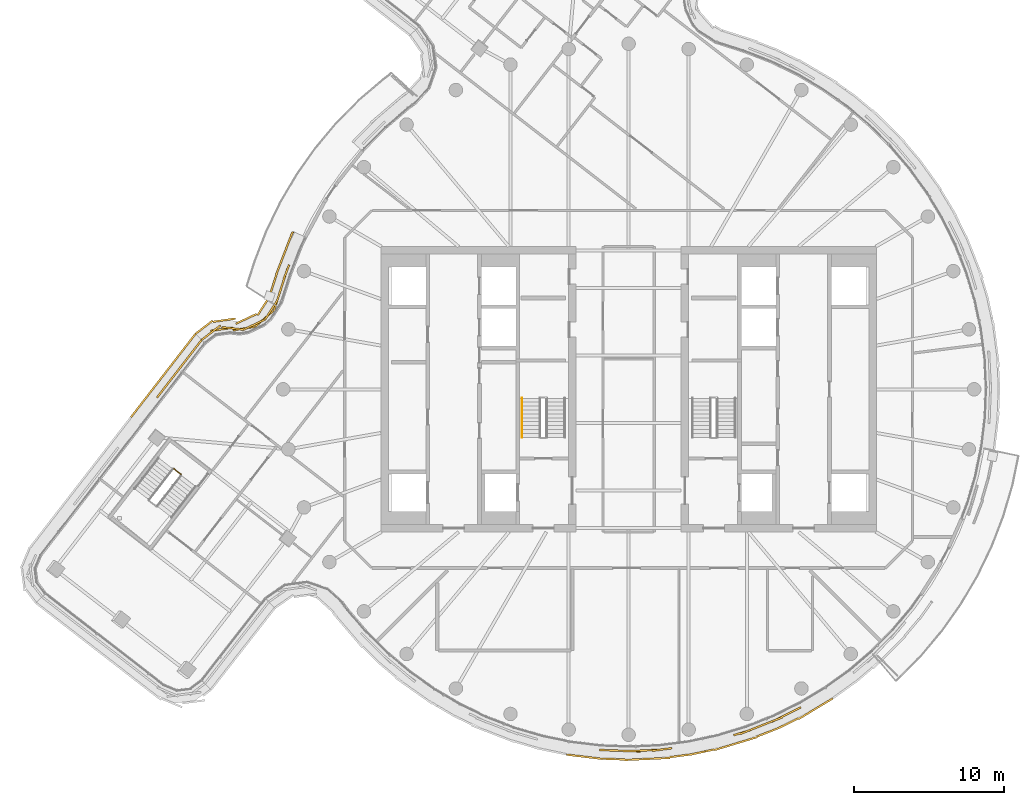
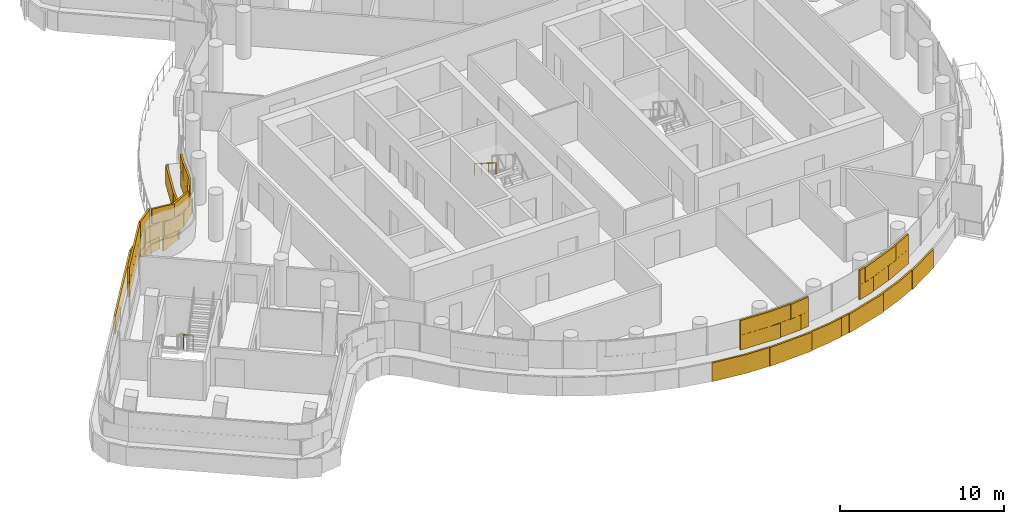
# One storey, part 22 of 26: 4 coverings, 2 railings.
"""IFC4 building model written with IfcOpenShell, lengths in metres."""

from ifc_helpers import new_model, si_unit, direction, frame, origin, origin_2d, place, context, subcontext, project, spatial, rectangle, circle, extrude, material, layer, layer_set, type_object, element, save


model = new_model("IFC4")

# Units and contexts
model_context = context("Model", 3, precision=1e-05, world=origin(), true_north=direction((0.0, 1.0)))
body_context = subcontext(model_context, "Body", "Model", "MODEL_VIEW")
ifc_project = project(units=[si_unit("LENGTHUNIT", "METRE"), si_unit("AREAUNIT", "SQUARE_METRE"), si_unit("VOLUMEUNIT", "CUBIC_METRE"), si_unit("PLANEANGLEUNIT", "RADIAN"), si_unit("MASSUNIT", "GRAM", prefix="KILO")], contexts=[model_context])

# Site, building, storey
site_placement = place(None, origin())
site = spatial("IfcSite", under=ifc_project, at=site_placement, CompositionType="ELEMENT")
building_placement = place(site_placement, origin())
building = spatial("IfcBuilding", under=site, at=building_placement, Name="Tamarind Cross Interchange Tower", CompositionType="ELEMENT")
storey_placement = place(building_placement, frame((0.0, 0.0, 223.5)))
storey = spatial("IfcBuildingStorey", under=building, at=storey_placement, Name="L56", CompositionType="ELEMENT", Elevation=223.5)

# Railings
ifc_material_1 = material(Name="Stair guard")
railing_type_1 = type_object("IfcRailingType", Name="Stair guard", PredefinedType="GUARDRAIL", material=ifc_material_1)
railing_1_placement = place(storey_placement, frame((-30.273193359375, -5.292236328125, 0.0)))
element("IfcRailing", 1, at=railing_1_placement, inside=storey, type_object=railing_type_1, Name="L56 ST5 stair guard 4", PredefinedType="GUARDRAIL", context=body_context, shape_type="SweptSolid", body=[
    extrude(circle(Radius=0.02392578125, at=origin_2d()), frame((0.0, 0.0, 1.076171875), z_axis=(0.790774545086, -0.61210752229, 0.0), x_axis=(0.61210752229, 0.790774545086, 0.0)), (0.0, 0.0, 1.0), 0.599853515625),
    extrude(circle(Radius=0.02099609375, at=origin_2d()), origin(), (0.0, 0.0, 1.0), 1.052001953125),
    extrude(circle(Radius=0.02099609375, at=origin_2d()), frame((0.474365234375, -0.3671875, 0.0)), (0.0, 0.0, 1.0), 1.052001953125),
])
ifc_material_2 = material(Name="Stair handrail")
railing_type_2 = type_object("IfcRailingType", Name="Stair handrail", PredefinedType="HANDRAIL", material=ifc_material_2)
railing_2_placement = place(storey_placement, frame((-7.10009765625, -0.60009765625, 1.963623046875)))
element("IfcRailing", 2, at=railing_2_placement, inside=storey, type_object=railing_type_2, Name="L56 ST1 stair handrail 2", PredefinedType="HANDRAIL", context=body_context, shape_type="SweptSolid", body=[
    extrude(circle(Radius=0.02392578125, at=origin_2d()), frame((0.0, 0.0, 0.8759765625), z_axis=(0.0, -0.846301844409, 0.532703658848), x_axis=(1.0, 0.0, 0.0)), (0.0, 0.0, 1.0), 3.072021484375),
    extrude(circle(Radius=0.02099609375, at=origin_2d()), origin(), (0.0, 0.0, 1.0), 0.851806640625),
    extrude(circle(Radius=0.02099609375, at=origin_2d()), frame((0.0, -0.86669921875, 0.54541015625)), (0.0, 0.0, 1.0), 0.851806640625),
    extrude(circle(Radius=0.02099609375, at=origin_2d()), frame((0.0, -1.733154296875, 1.091064453125)), (0.0, 0.0, 1.0), 0.851806640625),
    extrude(circle(Radius=0.02099609375, at=origin_2d()), frame((0.0, -2.599853515625, 1.636474609375)), (0.0, 0.0, 1.0), 0.851806640625),
])

# Coverings
ifc_material_3 = material(Name="Terracotta", Category="masonry")
ifc_layer = layer(ifc_material_3, 0.1201171875)
ifc_layer_set = layer_set([ifc_layer], Name="Terracotta")
covering_type = type_object("IfcCoveringType", Name="Terracotta baguette screen unit", PredefinedType="MOLDING", material=ifc_layer_set)
covering_1_placement = place(storey_placement, origin())
element("IfcCovering", 3, at=covering_1_placement, inside=storey, type_object=covering_type, Name="SCR-L56-02-02", PredefinedType="MOLDING", context=body_context, shape_type="SweptSolid", body=[
    extrude(rectangle(XDim=1.245849609375, YDim=0.1201171875, at=origin_2d()), frame((-1.326416015625, -24.03271484375, 1.40380859375), z_axis=(0.0, 0.0, 1.0), x_axis=(0.999314350871, -0.037024696392, 0.0)), (0.0, 0.0, 1.0), 1.092041015625),
    extrude(rectangle(XDim=1.52001953125, YDim=0.1201171875, at=origin_2d()), frame((0.040283203125, -24.08349609375, 1.40380859375), z_axis=(0.0, 0.0, 1.0), x_axis=(0.999314350871, -0.037024696392, 0.0)), (0.0, 0.0, 1.0), 1.092041015625),
    extrude(rectangle(XDim=1.52001953125, YDim=0.1201171875, at=origin_2d()), frame((1.538818359375, -24.020263671875, 1.40380859375), z_axis=(0.0, 0.0, 1.0), x_axis=(0.998958660912, 0.045624486728, 0.0)), (0.0, 0.0, 1.0), 1.092041015625),
    extrude(rectangle(XDim=0.616943359375, YDim=0.1201171875, at=origin_2d()), frame((2.587646484375, -23.93115234375, 1.40380859375), z_axis=(0.0, 0.0, 1.0), x_axis=(0.991779070368, 0.127962008342, 0.0)), (0.0, 0.0, 1.0), 1.092041015625),
    extrude(rectangle(XDim=0.495849609375, YDim=0.1201171875, at=origin_2d()), frame((-1.701171875, -24.01904296875, 2.50390625), z_axis=(0.0, 0.0, 1.0), x_axis=(0.999314350871, -0.037024696392, 0.0)), (0.0, 0.0, 1.0), 1.092041015625),
    extrude(rectangle(XDim=1.52001953125, YDim=0.1201171875, at=origin_2d()), frame((-0.708984375, -24.0556640625, 2.50390625), z_axis=(0.0, 0.0, 1.0), x_axis=(0.999314350871, -0.037024696392, 0.0)), (0.0, 0.0, 1.0), 1.092041015625),
    extrude(rectangle(XDim=1.52001953125, YDim=0.1201171875, at=origin_2d()), frame((0.78955078125, -24.054443359375, 2.50390625), z_axis=(0.0, 0.0, 1.0), x_axis=(0.998958660912, 0.045624486728, 0.0)), (0.0, 0.0, 1.0), 1.092041015625),
    extrude(rectangle(XDim=1.366943359375, YDim=0.1201171875, at=origin_2d()), frame((2.2158203125, -23.97900390625, 2.50390625), z_axis=(0.0, 0.0, 1.0), x_axis=(0.991779070368, 0.127962008342, 0.0)), (0.0, 0.0, 1.0), 1.092041015625),
    extrude(rectangle(XDim=0.891357421875, YDim=0.1201171875, at=origin_2d()), frame((-3.68212890625, -24.374267578125, 0.00390625), z_axis=(0.0, 0.0, 1.0), x_axis=(0.992843710523, -0.119420963295, 0.0)), (0.0, 0.0, 1.0), 1.39208984375),
    extrude(rectangle(XDim=1.52001953125, YDim=0.1201171875, at=origin_2d()), frame((-2.5048828125, -24.515869140625, 0.00390625), z_axis=(0.0, 0.0, 1.0), x_axis=(0.992843710523, -0.119420963295, 0.0)), (0.0, 0.0, 1.0), 1.39208984375),
    extrude(rectangle(XDim=1.52001953125, YDim=0.1201171875, at=origin_2d()), frame((-1.009765625, -24.618896484375, 0.00390625), z_axis=(0.0, 0.0, 1.0), x_axis=(0.999314350871, -0.037024696392, 0.0)), (0.0, 0.0, 1.0), 1.39208984375),
    extrude(rectangle(XDim=1.52001953125, YDim=0.1201171875, at=origin_2d()), frame((0.4892578125, -24.642822265625, 0.00390625), z_axis=(0.0, 0.0, 1.0), x_axis=(0.998958660912, 0.045624486728, 0.0)), (0.0, 0.0, 1.0), 1.39208984375),
    extrude(rectangle(XDim=1.52001953125, YDim=0.1201171875, at=origin_2d()), frame((1.987548828125, -24.574462890625, 0.00390625), z_axis=(0.0, 0.0, 1.0), x_axis=(0.998958660912, 0.045624486728, 0.0)), (0.0, 0.0, 1.0), 1.39208984375),
    extrude(rectangle(XDim=1.52001953125, YDim=0.1201171875, at=origin_2d()), frame((3.476318359375, -24.395263671875, 0.00390625), z_axis=(0.0, 0.0, 1.0), x_axis=(0.991779070368, 0.127962008342, 0.0)), (0.0, 0.0, 1.0), 1.39208984375),
    extrude(rectangle(XDim=0.886962890625, YDim=0.1201171875, at=origin_2d()), frame((4.643310546875, -24.203857421875, 0.00390625), z_axis=(0.0, 0.0, 1.0), x_axis=(0.977824623121, 0.209425419705, 0.0)), (0.0, 0.0, 1.0), 1.39208984375),
])
covering_2_placement = place(storey_placement, origin())
element("IfcCovering", 4, at=covering_2_placement, inside=storey, type_object=covering_type, Name="SCR-L56-02-03", PredefinedType="MOLDING", context=body_context, shape_type="SweptSolid", body=[
    extrude(rectangle(XDim=1.203125, YDim=0.1201171875, at=origin_2d()), frame((7.56201171875, -22.85498046875, 1.40380859375), z_axis=(0.0, 0.0, 1.0), x_axis=(0.957190642199, 0.289458243079, 0.0)), (0.0, 0.0, 1.0), 1.092041015625),
    extrude(rectangle(XDim=1.52001953125, YDim=0.1201171875, at=origin_2d()), frame((8.824462890625, -22.38916015625, 1.40380859375), z_axis=(0.0, 0.0, 1.0), x_axis=(0.930018078613, 0.367513773146, 0.0)), (0.0, 0.0, 1.0), 1.092041015625),
    extrude(rectangle(XDim=1.52001953125, YDim=0.1201171875, at=origin_2d()), frame((10.203125, -21.801513671875, 1.40380859375), z_axis=(0.0, 0.0, 1.0), x_axis=(0.896492548518, 0.443058811505, 0.0)), (0.0, 0.0, 1.0), 1.092041015625),
    extrude(rectangle(XDim=0.65966796875, YDim=0.1201171875, at=origin_2d()), frame((11.166748046875, -21.3251953125, 1.40380859375), z_axis=(0.0, 0.0, 1.0), x_axis=(0.896492548518, 0.443058811505, 0.0)), (0.0, 0.0, 1.0), 1.092041015625),
    extrude(rectangle(XDim=0.453125, YDim=0.1201171875, at=origin_2d()), frame((7.203125, -22.963623046875, 2.50390625), z_axis=(0.0, 0.0, 1.0), x_axis=(0.957190642199, 0.289458243079, 0.0)), (0.0, 0.0, 1.0), 1.092041015625),
    extrude(rectangle(XDim=1.52001953125, YDim=0.1201171875, at=origin_2d()), frame((8.126953125, -22.664794921875, 2.50390625), z_axis=(0.0, 0.0, 1.0), x_axis=(0.930018078613, 0.367513773146, 0.0)), (0.0, 0.0, 1.0), 1.092041015625),
    extrude(rectangle(XDim=1.52001953125, YDim=0.1201171875, at=origin_2d()), frame((9.52197265625, -22.113525390625, 2.50390625), z_axis=(0.0, 0.0, 1.0), x_axis=(0.930018078613, 0.367513773146, 0.0)), (0.0, 0.0, 1.0), 1.092041015625),
    extrude(rectangle(XDim=1.40966796875, YDim=0.1201171875, at=origin_2d()), frame((10.83056640625, -21.491455078125, 2.50390625), z_axis=(0.0, 0.0, 1.0), x_axis=(0.896492548518, 0.443058811505, 0.0)), (0.0, 0.0, 1.0), 1.092041015625),
    extrude(rectangle(XDim=0.633056640625, YDim=0.1201171875, at=origin_2d()), frame((5.386474609375, -24.044677734375, 0.00390625), z_axis=(0.0, 0.0, 1.0), x_axis=(0.977824623121, 0.209425419705, 0.0)), (0.0, 0.0, 1.0), 1.39208984375),
    extrude(rectangle(XDim=1.52001953125, YDim=0.1201171875, at=origin_2d()), frame((6.4140625, -23.8017578125, 0.00390625), z_axis=(0.0, 0.0, 1.0), x_axis=(0.957190642199, 0.289458243079, 0.0)), (0.0, 0.0, 1.0), 1.39208984375),
    extrude(rectangle(XDim=1.52001953125, YDim=0.1201171875, at=origin_2d()), frame((7.849853515625, -23.36767578125, 0.00390625), z_axis=(0.0, 0.0, 1.0), x_axis=(0.957190642199, 0.289458243079, 0.0)), (0.0, 0.0, 1.0), 1.39208984375),
    extrude(rectangle(XDim=1.52001953125, YDim=0.1201171875, at=origin_2d()), frame((9.252197265625, -22.83740234375, 0.00390625), z_axis=(0.0, 0.0, 1.0), x_axis=(0.930018078613, 0.367513773146, 0.0)), (0.0, 0.0, 1.0), 1.39208984375),
    extrude(rectangle(XDim=1.52001953125, YDim=0.1201171875, at=origin_2d()), frame((10.6240234375, -22.23388671875, 0.00390625), z_axis=(0.0, 0.0, 1.0), x_axis=(0.896492548518, 0.443058811505, 0.0)), (0.0, 0.0, 1.0), 1.39208984375),
    extrude(rectangle(XDim=1.52001953125, YDim=0.1201171875, at=origin_2d()), frame((11.96240234375, -21.55810546875, 0.00390625), z_axis=(0.0, 0.0, 1.0), x_axis=(0.856843065292, 0.515577308909, 0.0)), (0.0, 0.0, 1.0), 1.39208984375),
    extrude(rectangle(XDim=1.1455078125, YDim=0.1201171875, at=origin_2d()), frame((13.08740234375, -20.881103515625, 0.00390625), z_axis=(0.0, 0.0, 1.0), x_axis=(0.856843065292, 0.515577308909, 0.0)), (0.0, 0.0, 1.0), 1.39208984375),
])
covering_3_placement = place(storey_placement, origin())
element("IfcCovering", 5, at=covering_3_placement, inside=storey, type_object=covering_type, Name="SCR-L56-06-01", PredefinedType="MOLDING", context=body_context, shape_type="SweptSolid", body=[
    extrude(rectangle(XDim=1.52001953125, YDim=0.1201171875, at=origin_2d()), frame((-22.93603515625, 7.342041015625, 1.40380859375), z_axis=(0.0, 0.0, 1.0), x_axis=(-0.304537944842, -0.952500204804, 0.0)), (0.0, 0.0, 1.0), 1.092041015625),
    extrude(rectangle(XDim=1.52001953125, YDim=0.1201171875, at=origin_2d()), frame((-23.392822265625, 5.913330078125, 1.40380859375), z_axis=(0.0, 0.0, 1.0), x_axis=(-0.304537944842, -0.952500204804, 0.0)), (0.0, 0.0, 1.0), 1.092041015625),
    extrude(rectangle(XDim=1.52001953125, YDim=0.1201171875, at=origin_2d()), frame((-24.25537109375, 4.69775390625, 1.40380859375), z_axis=(0.0, 0.0, 1.0), x_axis=(-0.750564476239, -0.660797220793, 0.0)), (0.0, 0.0, 1.0), 1.092041015625),
    extrude(rectangle(XDim=1.52001953125, YDim=0.1201171875, at=origin_2d()), frame((-25.58984375, 4.0498046875, 1.40380859375), z_axis=(0.0, 0.0, 1.0), x_axis=(-0.986854726733, -0.161609864564, 0.0)), (0.0, 0.0, 1.0), 1.092041015625),
    extrude(rectangle(XDim=1.52001953125, YDim=0.1201171875, at=origin_2d()), frame((-27.075927734375, 3.997314453125, 1.40380859375), z_axis=(0.0, 0.0, 1.0), x_axis=(-0.990237362207, -0.139391414692, 0.0)), (0.0, 0.0, 1.0), 1.092041015625),
    extrude(rectangle(XDim=0.831298828125, YDim=0.1201171875, at=origin_2d()), frame((-28.0986328125, 3.533935546875, 1.40380859375), z_axis=(0.0, 0.0, 1.0), x_axis=(-0.793379435783, -0.608727419193, 0.0)), (0.0, 0.0, 1.0), 1.092041015625),
    extrude(rectangle(XDim=1.011474609375, YDim=0.1201171875, at=origin_2d()), frame((-22.778076171875, 7.81689453125, 2.50390625), z_axis=(0.0, 0.0, 1.0), x_axis=(-0.359495435512, -0.933146843667, 0.0)), (0.0, 0.0, 1.0), 1.092041015625),
    extrude(rectangle(XDim=1.52001953125, YDim=0.1201171875, at=origin_2d()), frame((-23.16455078125, 6.627685546875, 2.50390625), z_axis=(0.0, 0.0, 1.0), x_axis=(-0.304537944842, -0.952500204804, 0.0)), (0.0, 0.0, 1.0), 1.092041015625),
    extrude(rectangle(XDim=1.52001953125, YDim=0.1201171875, at=origin_2d()), frame((-23.79345703125, 5.27978515625, 2.50390625), z_axis=(0.0, 0.0, 1.0), x_axis=(-0.538904915991, -0.842366601618, 0.0)), (0.0, 0.0, 1.0), 1.092041015625),
    extrude(rectangle(XDim=1.52001953125, YDim=0.1201171875, at=origin_2d()), frame((-24.896240234375, 4.3203125, 2.50390625), z_axis=(0.0, 0.0, 1.0), x_axis=(-0.903854731615, -0.42783948408, 0.0)), (0.0, 0.0, 1.0), 1.092041015625),
    extrude(rectangle(XDim=1.52001953125, YDim=0.1201171875, at=origin_2d()), frame((-26.33251953125, 4.046630859375, 2.50390625), z_axis=(0.0, 0.0, 1.0), x_axis=(-0.993109783577, 0.117187703129, 0.0)), (0.0, 0.0, 1.0), 1.092041015625),
    extrude(rectangle(XDim=1.52001953125, YDim=0.1201171875, at=origin_2d()), frame((-27.77294921875, 3.783935546875, 2.50390625), z_axis=(0.0, 0.0, 1.0), x_axis=(-0.793379435783, -0.608727419193, 0.0)), (0.0, 0.0, 1.0), 1.092041015625),
    extrude(rectangle(XDim=0.081298828125, YDim=0.1201171875, at=origin_2d()), frame((-28.396240234375, 3.3056640625, 2.50390625), z_axis=(0.0, 0.0, 1.0), x_axis=(-0.793379435783, -0.608727419193, 0.0)), (0.0, 0.0, 1.0), 1.092041015625),
    extrude(rectangle(XDim=0.0625, YDim=0.1201171875, at=origin_2d()), frame((-22.322509765625, 10.43603515625, 0.00390625), z_axis=(0.0, 0.0, 1.0), x_axis=(-0.435326231914, -0.900272776334, 0.0)), (0.0, 0.0, 1.0), 1.39208984375),
    extrude(rectangle(XDim=1.52001953125, YDim=0.1201171875, at=origin_2d()), frame((-22.652587890625, 9.7392578125, 0.00390625), z_axis=(0.0, 0.0, 1.0), x_axis=(-0.359495435512, -0.933146843667, 0.0)), (0.0, 0.0, 1.0), 1.39208984375),
    extrude(rectangle(XDim=1.52001953125, YDim=0.1201171875, at=origin_2d()), frame((-23.19189453125, 8.339599609375, 0.00390625), z_axis=(0.0, 0.0, 1.0), x_axis=(-0.359495435512, -0.933146843667, 0.0)), (0.0, 0.0, 1.0), 1.39208984375),
    extrude(rectangle(XDim=1.52001953125, YDim=0.1201171875, at=origin_2d()), frame((-23.673583984375, 6.919677734375, 0.00390625), z_axis=(0.0, 0.0, 1.0), x_axis=(-0.304537944842, -0.952500204804, 0.0)), (0.0, 0.0, 1.0), 1.39208984375),
    extrude(rectangle(XDim=1.52001953125, YDim=0.1201171875, at=origin_2d()), frame((-24.291259765625, 5.56640625, 0.00390625), z_axis=(0.0, 0.0, 1.0), x_axis=(-0.538904915991, -0.842366601618, 0.0)), (0.0, 0.0, 1.0), 1.39208984375),
    extrude(rectangle(XDim=1.52001953125, YDim=0.1201171875, at=origin_2d()), frame((-25.458251953125, 4.689208984375, 0.00390625), z_axis=(0.0, 0.0, 1.0), x_axis=(-0.903854731615, -0.42783948408, 0.0)), (0.0, 0.0, 1.0), 1.39208984375),
    extrude(rectangle(XDim=1.52001953125, YDim=0.1201171875, at=origin_2d()), frame((-26.932861328125, 4.596923828125, 0.00390625), z_axis=(0.0, 0.0, 1.0), x_axis=(-0.990237362207, -0.139391414692, 0.0)), (0.0, 0.0, 1.0), 1.39208984375),
    extrude(rectangle(XDim=1.432861328125, YDim=0.1201171875, at=origin_2d()), frame((-28.264404296875, 4.130126953125, 0.00390625), z_axis=(0.0, 0.0, 1.0), x_axis=(-0.793379435783, -0.608727419193, 0.0)), (0.0, 0.0, 1.0), 1.39208984375),
])
covering_4_placement = place(storey_placement, origin())
element("IfcCovering", 6, at=covering_4_placement, inside=storey, type_object=covering_type, Name="SCR-L56-07-00", PredefinedType="MOLDING", context=body_context, shape_type="SweptSolid", body=[
    extrude(rectangle(XDim=1.510009765625, YDim=0.1201171875, at=origin_2d()), frame((-28.8837890625, 2.69091796875, 1.40380859375), z_axis=(0.0, 0.0, 1.0), x_axis=(-0.612355272073, -0.790582709629, 0.0)), (0.0, 0.0, 1.0), 1.092041015625),
    extrude(rectangle(XDim=1.52001953125, YDim=0.1201171875, at=origin_2d()), frame((-29.80224609375, 1.505126953125, 1.40380859375), z_axis=(0.0, 0.0, 1.0), x_axis=(-0.612355272073, -0.790582709629, 0.0)), (0.0, 0.0, 1.0), 1.092041015625),
    extrude(rectangle(XDim=1.52001953125, YDim=0.1201171875, at=origin_2d()), frame((-30.720947265625, 0.319091796875, 1.40380859375), z_axis=(0.0, 0.0, 1.0), x_axis=(-0.612355272073, -0.790582709629, 0.0)), (0.0, 0.0, 1.0), 1.092041015625),
    extrude(rectangle(XDim=0.36962890625, YDim=0.1201171875, at=origin_2d()), frame((-31.290283203125, -0.415771484375, 1.40380859375), z_axis=(0.0, 0.0, 1.0), x_axis=(-0.612355272073, -0.790582709629, 0.0)), (0.0, 0.0, 1.0), 1.092041015625),
    extrude(rectangle(XDim=0.760009765625, YDim=0.1201171875, at=origin_2d()), frame((-28.654052734375, 2.9873046875, 2.50390625), z_axis=(0.0, 0.0, 1.0), x_axis=(-0.612355272073, -0.790582709629, 0.0)), (0.0, 0.0, 1.0), 1.092041015625),
    extrude(rectangle(XDim=1.52001953125, YDim=0.1201171875, at=origin_2d()), frame((-29.343017578125, 2.097900390625, 2.50390625), z_axis=(0.0, 0.0, 1.0), x_axis=(-0.612355272073, -0.790582709629, 0.0)), (0.0, 0.0, 1.0), 1.092041015625),
    extrude(rectangle(XDim=1.52001953125, YDim=0.1201171875, at=origin_2d()), frame((-30.261474609375, 0.912109375, 2.50390625), z_axis=(0.0, 0.0, 1.0), x_axis=(-0.612355272073, -0.790582709629, 0.0)), (0.0, 0.0, 1.0), 1.092041015625),
    extrude(rectangle(XDim=1.11962890625, YDim=0.1201171875, at=origin_2d()), frame((-31.060546875, -0.119384765625, 2.50390625), z_axis=(0.0, 0.0, 1.0), x_axis=(-0.612355272073, -0.790582709629, 0.0)), (0.0, 0.0, 1.0), 1.092041015625),
    extrude(rectangle(XDim=1.510009765625, YDim=0.1201171875, at=origin_2d()), frame((-29.295166015625, 3.09716796875, 0.00390625), z_axis=(0.0, 0.0, 1.0), x_axis=(-0.612355272073, -0.790582709629, 0.0)), (0.0, 0.0, 1.0), 1.39208984375),
    extrude(rectangle(XDim=1.52001953125, YDim=0.1201171875, at=origin_2d()), frame((-30.210693359375, 1.915283203125, 0.00390625), z_axis=(0.0, 0.0, 1.0), x_axis=(-0.612355272073, -0.790582709629, 0.0)), (0.0, 0.0, 1.0), 1.39208984375),
    extrude(rectangle(XDim=1.52001953125, YDim=0.1201171875, at=origin_2d()), frame((-31.129150390625, 0.7294921875, 0.00390625), z_axis=(0.0, 0.0, 1.0), x_axis=(-0.612355272073, -0.790582709629, 0.0)), (0.0, 0.0, 1.0), 1.39208984375),
    extrude(rectangle(XDim=1.52001953125, YDim=0.1201171875, at=origin_2d()), frame((-32.047607421875, -0.45654296875, 0.00390625), z_axis=(0.0, 0.0, 1.0), x_axis=(-0.612355272073, -0.790582709629, 0.0)), (0.0, 0.0, 1.0), 1.39208984375),
    extrude(rectangle(XDim=1.027587890625, YDim=0.1201171875, at=origin_2d()), frame((-32.8154296875, -1.44775390625, 0.00390625), z_axis=(0.0, 0.0, 1.0), x_axis=(-0.612355272073, -0.790582709629, 0.0)), (0.0, 0.0, 1.0), 1.39208984375),
])

save(model, "model.ifc")
